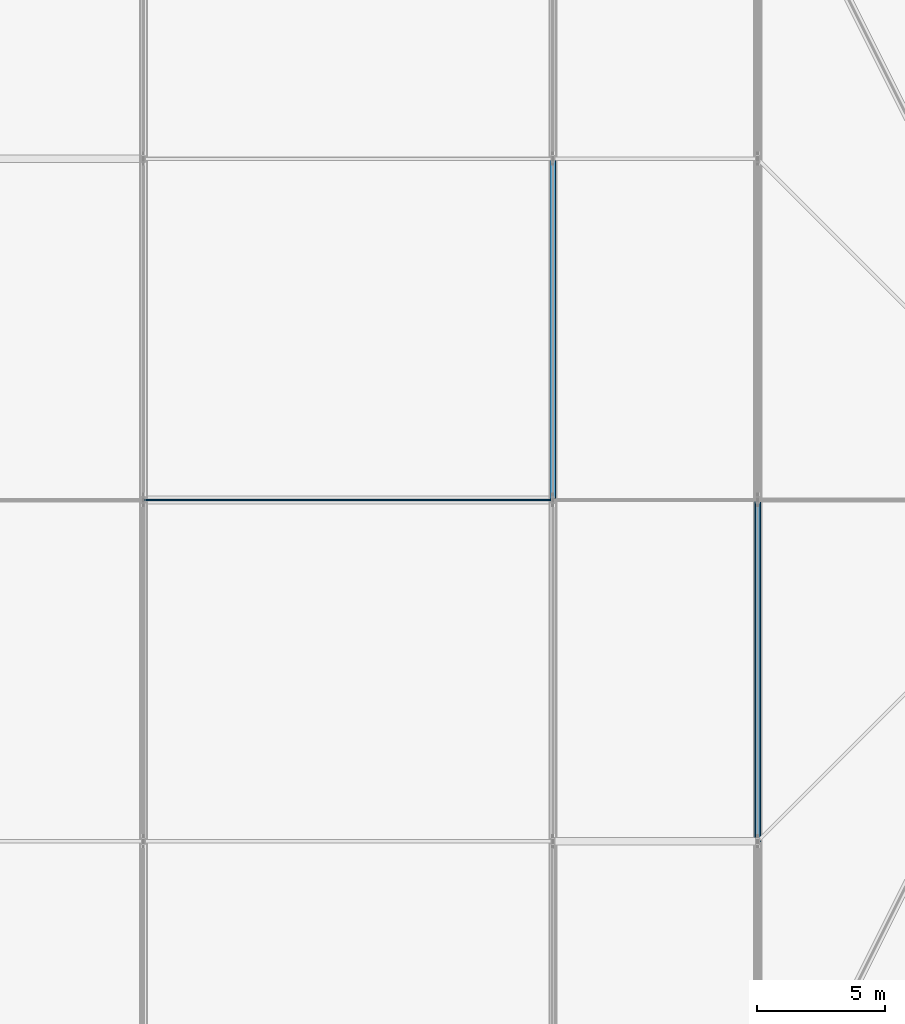
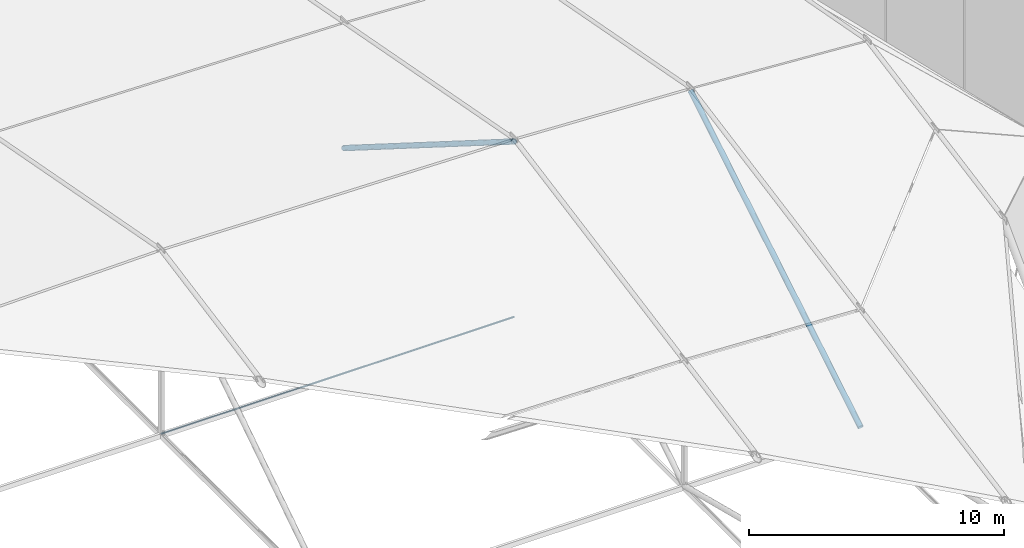
# One storey, part 12 of 30: 3 members.
"""IFC4 building model written with IfcOpenShell, lengths in metres."""

from ifc_helpers import new_model, si_unit, direction, frame, origin, origin_2d, place, context, subcontext, project, spatial, circle, hollow_circle, extrude, material, material_profile, profile_set, type_object, element, save


model = new_model("IFC4")

# Units and contexts
model_context = context("Model", 3, precision=1e-05, world=origin(), true_north=direction((0.0, 1.0)))
body_context = subcontext(model_context, "Body", "Model", "MODEL_VIEW")
ifc_project = project(units=[si_unit("LENGTHUNIT", "METRE"), si_unit("AREAUNIT", "SQUARE_METRE"), si_unit("VOLUMEUNIT", "CUBIC_METRE"), si_unit("PLANEANGLEUNIT", "RADIAN"), si_unit("MASSUNIT", "GRAM", prefix="KILO")], contexts=[model_context])

# Site, building, storey
site_placement = place(None, origin())
site = spatial("IfcSite", under=ifc_project, at=site_placement, CompositionType="ELEMENT")
building_placement = place(site_placement, origin())
building = spatial("IfcBuilding", under=site, at=building_placement, Name="Tazarka Park Arena", CompositionType="ELEMENT")
storey_placement = place(building_placement, frame((0.0, 0.0, 29.39990234375)))
storey = spatial("IfcBuildingStorey", under=building, at=storey_placement, Name="Roof", CompositionType="ELEMENT", Elevation=29.39990234375)

# Members
ifc_material_1 = material(Name="Steel S355", Category="steel")
ifc_material_profile_1 = material_profile(ifc_material_1, hollow_circle(Radius=0.122314453125, WallThickness=0.012451171875, at=origin_2d()), Name="Steel S355")
ifc_profile_set_1 = profile_set([ifc_material_profile_1], Name="Steel S355")
member_type_1 = type_object("IfcMemberType", Name="MEM-BR-05", PredefinedType="BRACE", material=ifc_profile_set_1)
member_1_placement = place(storey_placement, frame((104.0, 64.0, 8.351806640625), z_axis=(0.0, 0.846043935239, -0.533113177144), x_axis=(-1.0, 0.0, 0.0)))
element("IfcMember", 1, at=member_1_placement, inside=storey, type_object=member_type_1, Name="CBD-05-3", PredefinedType="BRACE", context=body_context, shape_type="SweptSolid", body=[
    extrude(hollow_circle(Radius=0.122314453125, WallThickness=0.012451171875, at=origin_2d()), origin(), (0.0, 0.0, 1.0), 15.759521484375),
])
member_2_placement = place(storey_placement, frame((112.0, 50.666748046875, -0.0498046875), z_axis=(0.0, 0.856673849497, 0.515858425916), x_axis=(-1.0, 0.0, 0.0)))
element("IfcMember", 2, at=member_2_placement, inside=storey, type_object=member_type_1, Name="CBD-06-2", PredefinedType="BRACE", context=body_context, shape_type="SweptSolid", body=[
    extrude(hollow_circle(Radius=0.122314453125, WallThickness=0.012451171875, at=origin_2d()), origin(), (0.0, 0.0, 1.0), 15.56396484375),
])
ifc_material_2 = material(Name="Locked-coil steel cable S1570", Category="steel")
ifc_material_profile_2 = material_profile(ifc_material_2, circle(Radius=0.0400390625, at=origin_2d()), Name="Locked-coil steel cable S1570")
ifc_profile_set_2 = profile_set([ifc_material_profile_2], Name="Locked-coil steel cable S1570")
member_type_2 = type_object("IfcMemberType", Name="MEM-CBL-01", PredefinedType="USERDEFINED", material=ifc_profile_set_2)
member_3_placement = place(storey_placement, frame((88.0, 64.0, -0.0498046875), z_axis=(1.0, 0.0, 0.0), x_axis=(0.0, 1.0, 0.0)))
element("IfcMember", 3, at=member_3_placement, inside=storey, type_object=member_type_2, Name="CABLE TRANSVERSE 5-3", ObjectType="CABLE", PredefinedType="USERDEFINED", context=body_context, shape_type="SweptSolid", body=[
    extrude(circle(Radius=0.0400390625, at=origin_2d()), origin(), (0.0, 0.0, 1.0), 16.0),
])

save(model, "model.ifc")
